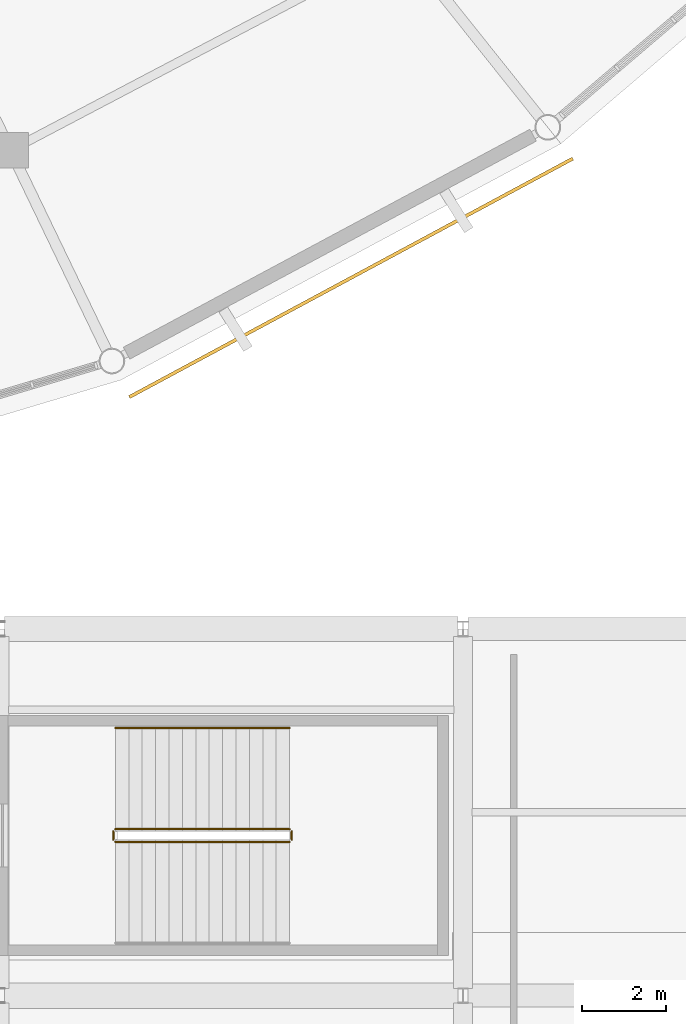
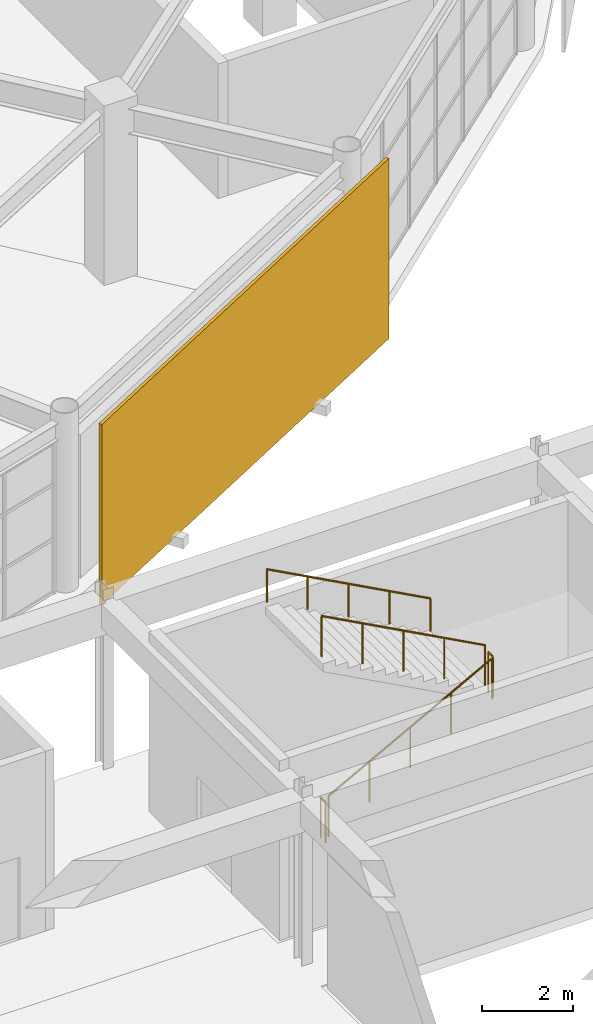
# One storey, part 100 of 112: 5 railings, 1 covering.
"""IFC4 building model written with IfcOpenShell, lengths in metres."""

from ifc_helpers import new_model, si_unit, direction, frame, frame_2d, origin, origin_2d, place, context, subcontext, project, spatial, rectangle, circle, extrude, material, layer, layer_set, type_object, element, save


model = new_model("IFC4")

# Units and contexts
model_context = context("Model", 3, precision=1e-05, world=origin(), true_north=direction((0.0, 1.0)))
body_context = subcontext(model_context, "Body", "Model", "MODEL_VIEW")
ifc_project = project(units=[si_unit("LENGTHUNIT", "METRE"), si_unit("AREAUNIT", "SQUARE_METRE"), si_unit("VOLUMEUNIT", "CUBIC_METRE"), si_unit("PLANEANGLEUNIT", "RADIAN"), si_unit("MASSUNIT", "GRAM", prefix="KILO")], contexts=[model_context])

# Site, building, storey
site_placement = place(None, origin())
site = spatial("IfcSite", under=ifc_project, at=site_placement, CompositionType="ELEMENT")
building_placement = place(site_placement, origin())
building = spatial("IfcBuilding", under=site, at=building_placement, Name="Cuetzalor Civic Arena", CompositionType="ELEMENT")
storey_placement = place(building_placement, frame((0.0, 0.0, 11.39990234375)))
storey = spatial("IfcBuildingStorey", under=building, at=storey_placement, Name="L02", CompositionType="ELEMENT", Elevation=11.39990234375)

# Railings
ifc_material_1 = material(Name="Reseda-green architectural Steel S355 balustrade", Category="steel")
railing_type_1 = type_object("IfcRailingType", Name="InteriorVoidBalustrade_1100", PredefinedType="BALUSTRADE", material=ifc_material_1)
railing_1_placement = place(storey_placement, frame((23.75, -53.35009765625, 0.171630859375)))
element("IfcRailing", 1, at=railing_1_placement, inside=storey, type_object=railing_type_1, Name="L02 ST-11 stair guard 1", PredefinedType="BALUSTRADE", context=body_context, shape_type="SweptSolid", body=[
    extrude(circle(Radius=0.02392578125, at=origin_2d()), frame((0.0, 0.0, 1.0810546875), z_axis=(0.880248997335, 0.0, 0.474512068014), x_axis=(0.0, 1.0, 0.0)), (0.0, 0.0, 1.0), 4.696533203125),
    extrude(circle(Radius=0.02099609375, at=origin_2d()), origin(), (0.0, 0.0, 1.0), 1.056884765625),
    extrude(circle(Radius=0.02099609375, at=origin_2d()), frame((1.033447265625, 0.0, 0.55712890625)), (0.0, 0.0, 1.0), 1.056884765625),
    extrude(circle(Radius=0.02099609375, at=origin_2d()), frame((2.06689453125, 0.0, 1.1142578125)), (0.0, 0.0, 1.0), 1.056884765625),
    extrude(circle(Radius=0.02099609375, at=origin_2d()), frame((3.1005859375, 0.0, 1.67138671875)), (0.0, 0.0, 1.0), 1.056884765625),
    extrude(circle(Radius=0.02099609375, at=origin_2d()), frame((4.134033203125, 0.0, 2.228515625)), (0.0, 0.0, 1.0), 1.056884765625),
])
railing_2_placement = place(storey_placement, frame((27.93408203125, -53.300048828125, 2.400146484375)))
element("IfcRailing", 2, at=railing_2_placement, inside=storey, type_object=railing_type_1, Name="L02 ST-11 stair guard 2", PredefinedType="BALUSTRADE", context=body_context, shape_type="SweptSolid", body=[
    extrude(circle(Radius=0.02392578125, at=origin_2d()), frame((0.0, 0.0, 1.0810546875), z_axis=(0.0, 1.0, 0.0), x_axis=(-1.0, 0.0, 0.0)), (0.0, 0.0, 1.0), 0.199951171875),
    extrude(circle(Radius=0.02099609375, at=origin_2d()), origin(), (0.0, 0.0, 1.0), 1.056884765625),
    extrude(circle(Radius=0.02099609375, at=origin_2d()), frame((0.0, 0.199951171875, 0.0)), (0.0, 0.0, 1.0), 1.056884765625),
])
railing_3_placement = place(storey_placement, frame((27.884033203125, -53.050048828125, 2.571533203125)))
element("IfcRailing", 3, at=railing_3_placement, inside=storey, type_object=railing_type_1, Name="L02 ST-11 stair guard 3", PredefinedType="BALUSTRADE", context=body_context, shape_type="SweptSolid", body=[
    extrude(circle(Radius=0.02392578125, at=origin_2d()), frame((0.0, 0.0, 1.0810546875), z_axis=(-0.880248997335, 0.0, 0.474512068014), x_axis=(0.0, -1.0, 0.0)), (0.0, 0.0, 1.0), 4.696533203125),
    extrude(circle(Radius=0.02099609375, at=origin_2d()), origin(), (0.0, 0.0, 1.0), 1.056884765625),
    extrude(circle(Radius=0.02099609375, at=origin_2d()), frame((-1.033447265625, 0.0, 0.55712890625)), (0.0, 0.0, 1.0), 1.056884765625),
    extrude(circle(Radius=0.02099609375, at=origin_2d()), frame((-2.06689453125, 0.0, 1.1142578125)), (0.0, 0.0, 1.0), 1.056884765625),
    extrude(circle(Radius=0.02099609375, at=origin_2d()), frame((-3.1005859375, 0.0, 1.67138671875)), (0.0, 0.0, 1.0), 1.056884765625),
    extrude(circle(Radius=0.02099609375, at=origin_2d()), frame((-4.134033203125, 0.0, 2.228515625)), (0.0, 0.0, 1.0), 1.056884765625),
])
railing_4_placement = place(storey_placement, frame((23.699951171875, -53.300048828125, 0.0)))
element("IfcRailing", 4, at=railing_4_placement, inside=storey, type_object=railing_type_1, Name="L02 ST-11 stair guard 4", PredefinedType="BALUSTRADE", context=body_context, shape_type="SweptSolid", body=[
    extrude(circle(Radius=0.02392578125, at=origin_2d()), frame((0.0, 0.0, 1.0810546875), z_axis=(0.0, 1.0, 0.0), x_axis=(-1.0, 0.0, 0.0)), (0.0, 0.0, 1.0), 0.199951171875),
    extrude(circle(Radius=0.02099609375, at=origin_2d()), origin(), (0.0, 0.0, 1.0), 1.056884765625),
    extrude(circle(Radius=0.02099609375, at=origin_2d()), frame((0.0, 0.199951171875, 0.0)), (0.0, 0.0, 1.0), 1.056884765625),
])
ifc_material_2 = material(Name="Galvanised steel S355", Category="steel")
railing_type_2 = type_object("IfcRailingType", Name="StairPitchHandrail_900", PredefinedType="HANDRAIL", material=ifc_material_2)
railing_5_placement = place(storey_placement, frame((27.884033203125, -50.64990234375, 2.571533203125)))
element("IfcRailing", 5, at=railing_5_placement, inside=storey, type_object=railing_type_2, Name="L02 ST-11 stair handrail 2", PredefinedType="HANDRAIL", context=body_context, shape_type="SweptSolid", body=[
    extrude(circle(Radius=0.02392578125, at=origin_2d()), frame((0.0, 0.0, 0.8759765625), z_axis=(-0.880248997335, 0.0, 0.474512068014), x_axis=(0.0, -1.0, 0.0)), (0.0, 0.0, 1.0), 4.696533203125),
    extrude(circle(Radius=0.02099609375, at=origin_2d()), origin(), (0.0, 0.0, 1.0), 0.851806640625),
    extrude(circle(Radius=0.02099609375, at=origin_2d()), frame((-1.033447265625, 0.0, 0.55712890625)), (0.0, 0.0, 1.0), 0.851806640625),
    extrude(circle(Radius=0.02099609375, at=origin_2d()), frame((-2.06689453125, 0.0, 1.1142578125)), (0.0, 0.0, 1.0), 0.851806640625),
    extrude(circle(Radius=0.02099609375, at=origin_2d()), frame((-3.1005859375, 0.0, 1.67138671875)), (0.0, 0.0, 1.0), 0.851806640625),
    extrude(circle(Radius=0.02099609375, at=origin_2d()), frame((-4.134033203125, 0.0, 2.228515625)), (0.0, 0.0, 1.0), 0.851806640625),
])

# Covering
ifc_material_3 = material(Name="Terracotta-red perforated anodised aluminium panel", Category="masonry")
ifc_layer = layer(ifc_material_3, 0.080078125)
ifc_layer_set = layer_set([ifc_layer], Name="Terracotta-red perforated anodised aluminium panel")
covering_type = type_object("IfcCoveringType", Name="TerracottaPerforatedScreenPanel", PredefinedType="CLADDING", material=ifc_layer_set)
covering_placement = place(storey_placement, frame((34.603759765625, -37.136962890625, -0.139892578125), z_axis=(0.0, 0.0, 1.0), x_axis=(-0.880729476331, -0.473619667584, 0.0)))
element("IfcCovering", 6, at=covering_placement, inside=storey, type_object=covering_type, Name="Terracotta Perforated Drum Screen L02-S24", PredefinedType="CLADDING", context=body_context, shape_type="SweptSolid", body=[
    extrude(rectangle(XDim=11.9482421875, YDim=0.080078125, at=frame_2d((5.97412109375, 0.0))), origin(), (0.0, 0.0, 1.0), 4.820068359375),
])

save(model, "model.ifc")
